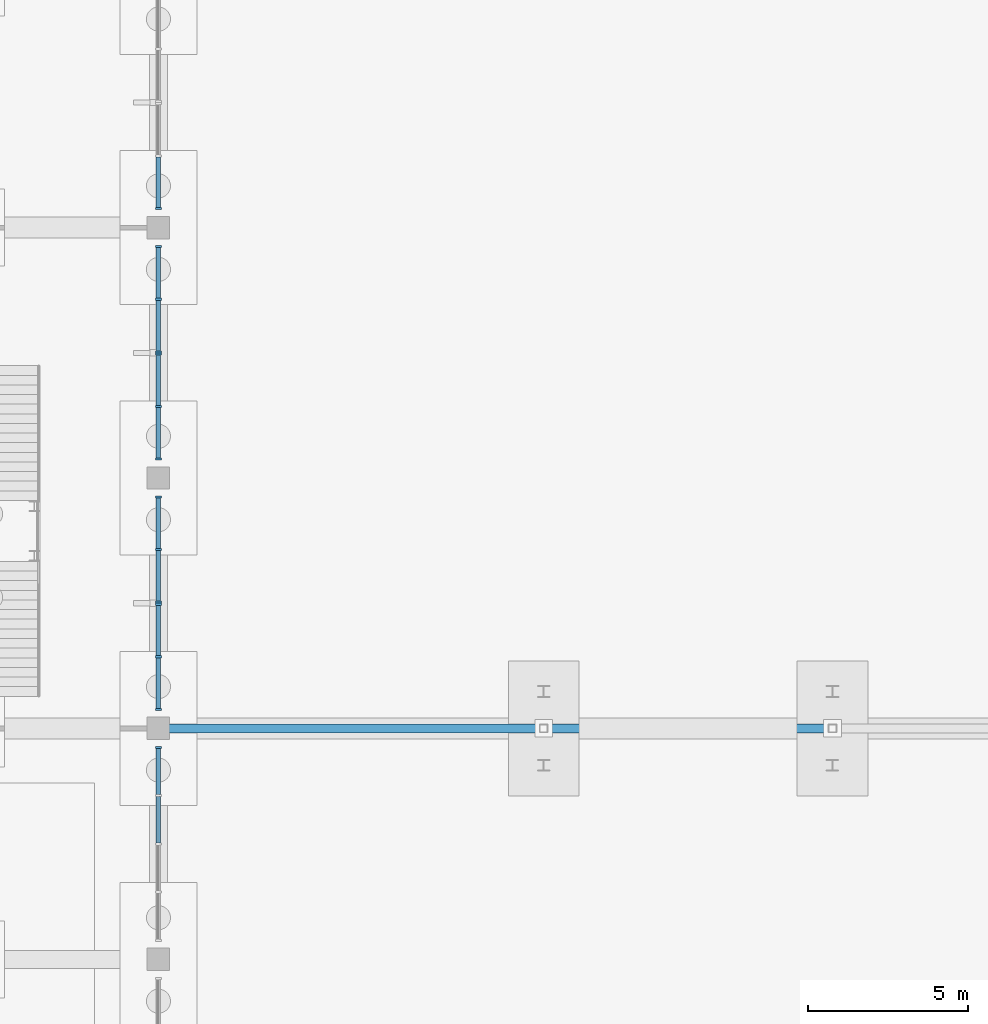
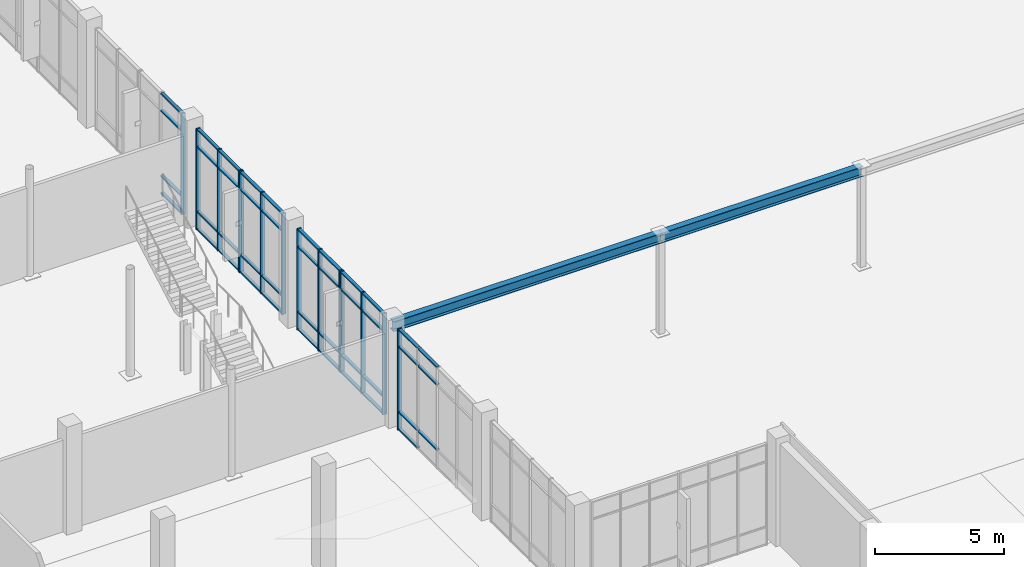
# One storey, part 36 of 94: 57 members, 2 beams, 6 elements without a shape of their own.
"""IFC4 building model written with IfcOpenShell, lengths in metres."""

from ifc_helpers import new_model, si_unit, direction, frame, origin, origin_2d, place, context, subcontext, project, spatial, rectangle, i_section, extrude, material, material_profile, profile_set, type_object, element, aggregate, save


model = new_model("IFC4")

# Units and contexts
model_context = context("Model", 3, precision=1e-05, world=origin(), true_north=direction((0.0, 1.0)))
body_context = subcontext(model_context, "Body", "Model", "MODEL_VIEW")
ifc_project = project(units=[si_unit("LENGTHUNIT", "METRE"), si_unit("AREAUNIT", "SQUARE_METRE"), si_unit("VOLUMEUNIT", "CUBIC_METRE"), si_unit("PLANEANGLEUNIT", "RADIAN"), si_unit("MASSUNIT", "GRAM", prefix="KILO")], contexts=[model_context])

# Site, building, storey
site_placement = place(None, origin())
site = spatial("IfcSite", under=ifc_project, at=site_placement, CompositionType="ELEMENT")
building_placement = place(site_placement, origin())
building = spatial("IfcBuilding", under=site, at=building_placement, Name="Vervanel Yard Central Library", CompositionType="ELEMENT")
storey_placement = place(building_placement, origin())
storey = spatial("IfcBuildingStorey", under=building, at=storey_placement, Name="L00", CompositionType="ELEMENT", Elevation=0.0)

# Curtain wall, member
ifc_material_1 = material(Name="Thermally broken anodized aluminium 6063-T6", Category="aluminium")
curtain_wall_type = type_object("IfcCurtainWallType", Name="Atrium Courtyard Curtain Wall", PredefinedType="NOTDEFINED", material=ifc_material_1)
curtain_wall_1_placement = place(storey_placement, origin())
curtain_wall_1 = element("IfcCurtainWall", 1, at=curtain_wall_1_placement, inside=storey, type_object=curtain_wall_type, Name="L00 Atrium Courtyard Curtain Wall CWR-L00-018", PredefinedType="NOTDEFINED")
ifc_material_profile_1 = material_profile(ifc_material_1, rectangle(XDim=0.06494140625, YDim=0.18994140625, at=origin_2d()), Name="ALU 65x190", Category="aluminium")
ifc_profile_set_1 = profile_set([ifc_material_profile_1], Name="Thermally broken anodized aluminium 6063-T6")
member_type_1 = type_object("IfcMemberType", Name="Curtain Wall Primary Mullion 65x190", PredefinedType="MULLION", material=ifc_profile_set_1)
member_1_placement = place(storey_placement, frame((36.0, 42.607421875, 0.0), z_axis=(0.0, 0.0, 1.0), x_axis=(0.0, 1.0, 0.0)))
member_1 = element("IfcMember", 2, at=member_1_placement, type_object=member_type_1, Name="CWR-L00-018 Mullion 5", PredefinedType="MULLION", context=body_context, shape_type="SweptSolid", body=[
    extrude(rectangle(XDim=0.06494140625, YDim=0.18994140625, at=origin_2d()), origin(), (0.0, 0.0, 1.0), 4.780029296875),
])

# Curtain wall, members
curtain_wall_2_placement = place(storey_placement, origin())
curtain_wall_2 = element("IfcCurtainWall", 3, at=curtain_wall_2_placement, inside=storey, type_object=curtain_wall_type, Name="L00 Atrium Courtyard Curtain Wall CWR-L00-019", PredefinedType="NOTDEFINED")
member_2_placement = place(storey_placement, frame((36.0, 43.79248046875, 0.0), z_axis=(0.0, 0.0, 1.0), x_axis=(0.0, 1.0, 0.0)))
member_2 = element("IfcMember", 4, at=member_2_placement, type_object=member_type_1, Name="CWR-L00-019 Mullion 1", PredefinedType="MULLION", context=body_context, shape_type="SweptSolid", body=[
    extrude(rectangle(XDim=0.06494140625, YDim=0.18994140625, at=origin_2d()), origin(), (0.0, 0.0, 1.0), 4.780029296875),
])
member_3_placement = place(storey_placement, frame((36.0, 45.429931640625, 0.0), z_axis=(0.0, 0.0, 1.0), x_axis=(0.0, 1.0, 0.0)))
member_3 = element("IfcMember", 5, at=member_3_placement, type_object=member_type_1, Name="CWR-L00-019 Mullion 2", PredefinedType="MULLION", context=body_context, shape_type="SweptSolid", body=[
    extrude(rectangle(XDim=0.06494140625, YDim=0.18994140625, at=origin_2d()), origin(), (0.0, 0.0, 1.0), 4.780029296875),
])
member_4_placement = place(storey_placement, frame((36.0, 47.0673828125, 0.0), z_axis=(0.0, 0.0, 1.0), x_axis=(0.0, 1.0, 0.0)))
member_4 = element("IfcMember", 6, at=member_4_placement, type_object=member_type_1, Name="CWR-L00-019 Mullion 3", PredefinedType="MULLION", context=body_context, shape_type="SweptSolid", body=[
    extrude(rectangle(XDim=0.06494140625, YDim=0.18994140625, at=origin_2d()), origin(), (0.0, 0.0, 1.0), 4.780029296875),
])

curtain_wall_3_placement = place(storey_placement, origin())
curtain_wall_3 = element("IfcCurtainWall", 7, at=curtain_wall_3_placement, inside=storey, type_object=curtain_wall_type, Name="L00 Atrium Courtyard Curtain Wall CWR-L00-020", PredefinedType="NOTDEFINED")
member_5_placement = place(storey_placement, frame((36.0, 47.132568359375, 0.0), z_axis=(0.0, 0.0, 1.0), x_axis=(0.0, 1.0, 0.0)))
member_5 = element("IfcMember", 8, at=member_5_placement, type_object=member_type_1, Name="CWR-L00-020 Mullion 1", PredefinedType="MULLION", context=body_context, shape_type="SweptSolid", body=[
    extrude(rectangle(XDim=0.06494140625, YDim=0.18994140625, at=origin_2d()), origin(), (0.0, 0.0, 1.0), 4.780029296875),
])
member_6_placement = place(storey_placement, frame((36.0, 48.77001953125, 0.0), z_axis=(0.0, 0.0, 1.0), x_axis=(0.0, 1.0, 0.0)))
member_6 = element("IfcMember", 9, at=member_6_placement, type_object=member_type_1, Name="CWR-L00-020 Mullion 2", PredefinedType="MULLION", context=body_context, shape_type="SweptSolid", body=[
    extrude(rectangle(XDim=0.06494140625, YDim=0.18994140625, at=origin_2d()), origin(), (0.0, 0.0, 1.0), 4.780029296875),
])
member_7_placement = place(storey_placement, frame((36.0, 50.407470703125, 0.0), z_axis=(0.0, 0.0, 1.0), x_axis=(0.0, 1.0, 0.0)))
member_7 = element("IfcMember", 10, at=member_7_placement, type_object=member_type_1, Name="CWR-L00-020 Mullion 3", PredefinedType="MULLION", context=body_context, shape_type="SweptSolid", body=[
    extrude(rectangle(XDim=0.06494140625, YDim=0.18994140625, at=origin_2d()), origin(), (0.0, 0.0, 1.0), 4.780029296875),
])

curtain_wall_4_placement = place(storey_placement, origin())
curtain_wall_4 = element("IfcCurtainWall", 11, at=curtain_wall_4_placement, inside=storey, type_object=curtain_wall_type, Name="L00 Atrium Courtyard Curtain Wall CWR-L00-021", PredefinedType="NOTDEFINED")
member_8_placement = place(storey_placement, frame((36.0, 51.592529296875, 0.0), z_axis=(0.0, 0.0, 1.0), x_axis=(0.0, 1.0, 0.0)))
member_8 = element("IfcMember", 12, at=member_8_placement, type_object=member_type_1, Name="CWR-L00-021 Mullion 1", PredefinedType="MULLION", context=body_context, shape_type="SweptSolid", body=[
    extrude(rectangle(XDim=0.06494140625, YDim=0.18994140625, at=origin_2d()), origin(), (0.0, 0.0, 1.0), 4.780029296875),
])
member_9_placement = place(storey_placement, frame((36.0, 53.22998046875, 0.0), z_axis=(0.0, 0.0, 1.0), x_axis=(0.0, 1.0, 0.0)))
member_9 = element("IfcMember", 13, at=member_9_placement, type_object=member_type_1, Name="CWR-L00-021 Mullion 2", PredefinedType="MULLION", context=body_context, shape_type="SweptSolid", body=[
    extrude(rectangle(XDim=0.06494140625, YDim=0.18994140625, at=origin_2d()), origin(), (0.0, 0.0, 1.0), 4.780029296875),
])
member_10_placement = place(storey_placement, frame((36.0, 54.867431640625, 0.0), z_axis=(0.0, 0.0, 1.0), x_axis=(0.0, 1.0, 0.0)))
member_10 = element("IfcMember", 14, at=member_10_placement, type_object=member_type_1, Name="CWR-L00-021 Mullion 3", PredefinedType="MULLION", context=body_context, shape_type="SweptSolid", body=[
    extrude(rectangle(XDim=0.06494140625, YDim=0.18994140625, at=origin_2d()), origin(), (0.0, 0.0, 1.0), 4.780029296875),
])

curtain_wall_5_placement = place(storey_placement, origin())
curtain_wall_5 = element("IfcCurtainWall", 15, at=curtain_wall_5_placement, inside=storey, type_object=curtain_wall_type, Name="L00 Atrium Courtyard Curtain Wall CWR-L00-022", PredefinedType="NOTDEFINED")
member_11_placement = place(storey_placement, frame((36.0, 54.9326171875, 0.0), z_axis=(0.0, 0.0, 1.0), x_axis=(0.0, 1.0, 0.0)))
member_11 = element("IfcMember", 16, at=member_11_placement, type_object=member_type_1, Name="CWR-L00-022 Mullion 1", PredefinedType="MULLION", context=body_context, shape_type="SweptSolid", body=[
    extrude(rectangle(XDim=0.06494140625, YDim=0.18994140625, at=origin_2d()), origin(), (0.0, 0.0, 1.0), 4.780029296875),
])
member_12_placement = place(storey_placement, frame((36.0, 56.570068359375, 0.0), z_axis=(0.0, 0.0, 1.0), x_axis=(0.0, 1.0, 0.0)))
member_12 = element("IfcMember", 17, at=member_12_placement, type_object=member_type_1, Name="CWR-L00-022 Mullion 2", PredefinedType="MULLION", context=body_context, shape_type="SweptSolid", body=[
    extrude(rectangle(XDim=0.06494140625, YDim=0.18994140625, at=origin_2d()), origin(), (0.0, 0.0, 1.0), 4.780029296875),
])
member_13_placement = place(storey_placement, frame((36.0, 58.20751953125, 0.0), z_axis=(0.0, 0.0, 1.0), x_axis=(0.0, 1.0, 0.0)))
member_13 = element("IfcMember", 18, at=member_13_placement, type_object=member_type_1, Name="CWR-L00-022 Mullion 3", PredefinedType="MULLION", context=body_context, shape_type="SweptSolid", body=[
    extrude(rectangle(XDim=0.06494140625, YDim=0.18994140625, at=origin_2d()), origin(), (0.0, 0.0, 1.0), 4.780029296875),
])

# Curtain wall, member
curtain_wall_6_placement = place(storey_placement, origin())
curtain_wall_6 = element("IfcCurtainWall", 19, at=curtain_wall_6_placement, inside=storey, type_object=curtain_wall_type, Name="L00 Atrium Courtyard Curtain Wall CWR-L00-023", PredefinedType="NOTDEFINED")
member_14_placement = place(storey_placement, frame((36.0, 59.392578125, 0.0), z_axis=(0.0, 0.0, 1.0), x_axis=(0.0, 1.0, 0.0)))
member_14 = element("IfcMember", 20, at=member_14_placement, type_object=member_type_1, Name="CWR-L00-023 Mullion 1", PredefinedType="MULLION", context=body_context, shape_type="SweptSolid", body=[
    extrude(rectangle(XDim=0.06494140625, YDim=0.18994140625, at=origin_2d()), origin(), (0.0, 0.0, 1.0), 4.780029296875),
])

# Member
ifc_material_profile_2 = material_profile(ifc_material_1, rectangle(XDim=0.06494140625, YDim=0.139892578125, at=origin_2d()), Name="ALU 65x140", Category="aluminium")
ifc_profile_set_2 = profile_set([ifc_material_profile_2], Name="Thermally broken anodized aluminium 6063-T6")
member_type_2 = type_object("IfcMemberType", Name="Curtain Wall Transom 65x140", PredefinedType="NOTDEFINED", material=ifc_profile_set_2)
member_15_placement = place(storey_placement, frame((36.0, 39.632568359375, 0.85009765625), z_axis=(0.0, 1.0, 0.0), x_axis=(0.0, 0.0, 1.0)))
member_15 = element("IfcMember", 21, at=member_15_placement, type_object=member_type_2, Name="CWR-L00-018 Transom B3-T2", ObjectType="TRANSOM", PredefinedType="USERDEFINED", context=body_context, shape_type="SweptSolid", body=[
    extrude(rectangle(XDim=0.06494140625, YDim=0.139892578125, at=origin_2d()), origin(), (0.0, 0.0, 1.0), 1.438720703125),
])

member_16_placement = place(storey_placement, frame((36.0, 39.632568359375, 3.929931640625), z_axis=(0.0, 1.0, 0.0), x_axis=(0.0, 0.0, 1.0)))
member_16 = element("IfcMember", 22, at=member_16_placement, type_object=member_type_2, Name="CWR-L00-018 Transom B3-T3", ObjectType="TRANSOM", PredefinedType="USERDEFINED", context=body_context, shape_type="SweptSolid", body=[
    extrude(rectangle(XDim=0.06494140625, YDim=0.139892578125, at=origin_2d()), origin(), (0.0, 0.0, 1.0), 1.438720703125),
])

member_17_placement = place(storey_placement, frame((36.0, 39.632568359375, 4.74755859375), z_axis=(0.0, 1.0, 0.0), x_axis=(0.0, 0.0, 1.0)))
member_17 = element("IfcMember", 23, at=member_17_placement, type_object=member_type_2, Name="CWR-L00-018 Transom B3-T4", ObjectType="TRANSOM", PredefinedType="USERDEFINED", context=body_context, shape_type="SweptSolid", body=[
    extrude(rectangle(XDim=0.06494140625, YDim=0.139892578125, at=origin_2d()), origin(), (0.0, 0.0, 1.0), 1.438720703125),
])

member_18_placement = place(storey_placement, frame((36.0, 41.13623046875, 0.032470703125), z_axis=(0.0, 1.0, 0.0), x_axis=(0.0, 0.0, 1.0)))
member_18 = element("IfcMember", 24, at=member_18_placement, type_object=member_type_2, Name="CWR-L00-018 Transom B4-T1", ObjectType="TRANSOM", PredefinedType="USERDEFINED", context=body_context, shape_type="SweptSolid", body=[
    extrude(rectangle(XDim=0.06494140625, YDim=0.139892578125, at=origin_2d()), origin(), (0.0, 0.0, 1.0), 1.438720703125),
])

member_19_placement = place(storey_placement, frame((36.0, 41.13623046875, 0.85009765625), z_axis=(0.0, 1.0, 0.0), x_axis=(0.0, 0.0, 1.0)))
member_19 = element("IfcMember", 25, at=member_19_placement, type_object=member_type_2, Name="CWR-L00-018 Transom B4-T2", ObjectType="TRANSOM", PredefinedType="USERDEFINED", context=body_context, shape_type="SweptSolid", body=[
    extrude(rectangle(XDim=0.06494140625, YDim=0.139892578125, at=origin_2d()), origin(), (0.0, 0.0, 1.0), 1.438720703125),
])

member_20_placement = place(storey_placement, frame((36.0, 41.13623046875, 3.929931640625), z_axis=(0.0, 1.0, 0.0), x_axis=(0.0, 0.0, 1.0)))
member_20 = element("IfcMember", 26, at=member_20_placement, type_object=member_type_2, Name="CWR-L00-018 Transom B4-T3", ObjectType="TRANSOM", PredefinedType="USERDEFINED", context=body_context, shape_type="SweptSolid", body=[
    extrude(rectangle(XDim=0.06494140625, YDim=0.139892578125, at=origin_2d()), origin(), (0.0, 0.0, 1.0), 1.438720703125),
])

member_21_placement = place(storey_placement, frame((36.0, 41.13623046875, 4.74755859375), z_axis=(0.0, 1.0, 0.0), x_axis=(0.0, 0.0, 1.0)))
member_21 = element("IfcMember", 27, at=member_21_placement, type_object=member_type_2, Name="CWR-L00-018 Transom B4-T4", ObjectType="TRANSOM", PredefinedType="USERDEFINED", context=body_context, shape_type="SweptSolid", body=[
    extrude(rectangle(XDim=0.06494140625, YDim=0.139892578125, at=origin_2d()), origin(), (0.0, 0.0, 1.0), 1.438720703125),
])

aggregate(curtain_wall_1, [member_1, member_15, member_16, member_17, member_18, member_19, member_20, member_21])

member_22_placement = place(storey_placement, frame((36.0, 43.824951171875, 0.032470703125), z_axis=(0.0, 1.0, 0.0), x_axis=(0.0, 0.0, 1.0)))
member_22 = element("IfcMember", 28, at=member_22_placement, type_object=member_type_2, Name="CWR-L00-019 Transom B1-T1", ObjectType="TRANSOM", PredefinedType="USERDEFINED", context=body_context, shape_type="SweptSolid", body=[
    extrude(rectangle(XDim=0.06494140625, YDim=0.139892578125, at=origin_2d()), origin(), (0.0, 0.0, 1.0), 1.572509765625),
])

member_23_placement = place(storey_placement, frame((36.0, 43.824951171875, 0.85009765625), z_axis=(0.0, 1.0, 0.0), x_axis=(0.0, 0.0, 1.0)))
member_23 = element("IfcMember", 29, at=member_23_placement, type_object=member_type_2, Name="CWR-L00-019 Transom B1-T2", ObjectType="TRANSOM", PredefinedType="USERDEFINED", context=body_context, shape_type="SweptSolid", body=[
    extrude(rectangle(XDim=0.06494140625, YDim=0.139892578125, at=origin_2d()), origin(), (0.0, 0.0, 1.0), 1.572509765625),
])

member_24_placement = place(storey_placement, frame((36.0, 43.824951171875, 3.929931640625), z_axis=(0.0, 1.0, 0.0), x_axis=(0.0, 0.0, 1.0)))
member_24 = element("IfcMember", 30, at=member_24_placement, type_object=member_type_2, Name="CWR-L00-019 Transom B1-T3", ObjectType="TRANSOM", PredefinedType="USERDEFINED", context=body_context, shape_type="SweptSolid", body=[
    extrude(rectangle(XDim=0.06494140625, YDim=0.139892578125, at=origin_2d()), origin(), (0.0, 0.0, 1.0), 1.572509765625),
])

member_25_placement = place(storey_placement, frame((36.0, 43.824951171875, 4.74755859375), z_axis=(0.0, 1.0, 0.0), x_axis=(0.0, 0.0, 1.0)))
member_25 = element("IfcMember", 31, at=member_25_placement, type_object=member_type_2, Name="CWR-L00-019 Transom B1-T4", ObjectType="TRANSOM", PredefinedType="USERDEFINED", context=body_context, shape_type="SweptSolid", body=[
    extrude(rectangle(XDim=0.06494140625, YDim=0.139892578125, at=origin_2d()), origin(), (0.0, 0.0, 1.0), 1.572509765625),
])

member_26_placement = place(storey_placement, frame((36.0, 45.46240234375, 0.032470703125), z_axis=(0.0, 1.0, 0.0), x_axis=(0.0, 0.0, 1.0)))
member_26 = element("IfcMember", 32, at=member_26_placement, type_object=member_type_2, Name="CWR-L00-019 Transom B2-T1", ObjectType="TRANSOM", PredefinedType="USERDEFINED", context=body_context, shape_type="SweptSolid", body=[
    extrude(rectangle(XDim=0.06494140625, YDim=0.139892578125, at=origin_2d()), origin(), (0.0, 0.0, 1.0), 1.572509765625),
])

member_27_placement = place(storey_placement, frame((36.0, 45.46240234375, 0.85009765625), z_axis=(0.0, 1.0, 0.0), x_axis=(0.0, 0.0, 1.0)))
member_27 = element("IfcMember", 33, at=member_27_placement, type_object=member_type_2, Name="CWR-L00-019 Transom B2-T2", ObjectType="TRANSOM", PredefinedType="USERDEFINED", context=body_context, shape_type="SweptSolid", body=[
    extrude(rectangle(XDim=0.06494140625, YDim=0.139892578125, at=origin_2d()), origin(), (0.0, 0.0, 1.0), 1.572509765625),
])

member_28_placement = place(storey_placement, frame((36.0, 45.46240234375, 3.929931640625), z_axis=(0.0, 1.0, 0.0), x_axis=(0.0, 0.0, 1.0)))
member_28 = element("IfcMember", 34, at=member_28_placement, type_object=member_type_2, Name="CWR-L00-019 Transom B2-T3", ObjectType="TRANSOM", PredefinedType="USERDEFINED", context=body_context, shape_type="SweptSolid", body=[
    extrude(rectangle(XDim=0.06494140625, YDim=0.139892578125, at=origin_2d()), origin(), (0.0, 0.0, 1.0), 1.572509765625),
])

member_29_placement = place(storey_placement, frame((36.0, 45.46240234375, 4.74755859375), z_axis=(0.0, 1.0, 0.0), x_axis=(0.0, 0.0, 1.0)))
member_29 = element("IfcMember", 35, at=member_29_placement, type_object=member_type_2, Name="CWR-L00-019 Transom B2-T4", ObjectType="TRANSOM", PredefinedType="USERDEFINED", context=body_context, shape_type="SweptSolid", body=[
    extrude(rectangle(XDim=0.06494140625, YDim=0.139892578125, at=origin_2d()), origin(), (0.0, 0.0, 1.0), 1.572509765625),
])

aggregate(curtain_wall_2, [member_2, member_3, member_4, member_22, member_23, member_24, member_25, member_26, member_27, member_28, member_29])

member_30_placement = place(storey_placement, frame((36.0, 47.1650390625, 0.032470703125), z_axis=(0.0, 1.0, 0.0), x_axis=(0.0, 0.0, 1.0)))
member_30 = element("IfcMember", 36, at=member_30_placement, type_object=member_type_2, Name="CWR-L00-020 Transom B1-T1", ObjectType="TRANSOM", PredefinedType="USERDEFINED", context=body_context, shape_type="SweptSolid", body=[
    extrude(rectangle(XDim=0.06494140625, YDim=0.139892578125, at=origin_2d()), origin(), (0.0, 0.0, 1.0), 1.572509765625),
])

member_31_placement = place(storey_placement, frame((36.0, 47.1650390625, 0.85009765625), z_axis=(0.0, 1.0, 0.0), x_axis=(0.0, 0.0, 1.0)))
member_31 = element("IfcMember", 37, at=member_31_placement, type_object=member_type_2, Name="CWR-L00-020 Transom B1-T2", ObjectType="TRANSOM", PredefinedType="USERDEFINED", context=body_context, shape_type="SweptSolid", body=[
    extrude(rectangle(XDim=0.06494140625, YDim=0.139892578125, at=origin_2d()), origin(), (0.0, 0.0, 1.0), 1.572509765625),
])

member_32_placement = place(storey_placement, frame((36.0, 47.1650390625, 3.929931640625), z_axis=(0.0, 1.0, 0.0), x_axis=(0.0, 0.0, 1.0)))
member_32 = element("IfcMember", 38, at=member_32_placement, type_object=member_type_2, Name="CWR-L00-020 Transom B1-T3", ObjectType="TRANSOM", PredefinedType="USERDEFINED", context=body_context, shape_type="SweptSolid", body=[
    extrude(rectangle(XDim=0.06494140625, YDim=0.139892578125, at=origin_2d()), origin(), (0.0, 0.0, 1.0), 1.572509765625),
])

member_33_placement = place(storey_placement, frame((36.0, 47.1650390625, 4.74755859375), z_axis=(0.0, 1.0, 0.0), x_axis=(0.0, 0.0, 1.0)))
member_33 = element("IfcMember", 39, at=member_33_placement, type_object=member_type_2, Name="CWR-L00-020 Transom B1-T4", ObjectType="TRANSOM", PredefinedType="USERDEFINED", context=body_context, shape_type="SweptSolid", body=[
    extrude(rectangle(XDim=0.06494140625, YDim=0.139892578125, at=origin_2d()), origin(), (0.0, 0.0, 1.0), 1.572509765625),
])

member_34_placement = place(storey_placement, frame((36.0, 48.802490234375, 0.032470703125), z_axis=(0.0, 1.0, 0.0), x_axis=(0.0, 0.0, 1.0)))
member_34 = element("IfcMember", 40, at=member_34_placement, type_object=member_type_2, Name="CWR-L00-020 Transom B2-T1", ObjectType="TRANSOM", PredefinedType="USERDEFINED", context=body_context, shape_type="SweptSolid", body=[
    extrude(rectangle(XDim=0.06494140625, YDim=0.139892578125, at=origin_2d()), origin(), (0.0, 0.0, 1.0), 1.572509765625),
])

member_35_placement = place(storey_placement, frame((36.0, 48.802490234375, 0.85009765625), z_axis=(0.0, 1.0, 0.0), x_axis=(0.0, 0.0, 1.0)))
member_35 = element("IfcMember", 41, at=member_35_placement, type_object=member_type_2, Name="CWR-L00-020 Transom B2-T2", ObjectType="TRANSOM", PredefinedType="USERDEFINED", context=body_context, shape_type="SweptSolid", body=[
    extrude(rectangle(XDim=0.06494140625, YDim=0.139892578125, at=origin_2d()), origin(), (0.0, 0.0, 1.0), 1.572509765625),
])

member_36_placement = place(storey_placement, frame((36.0, 48.802490234375, 3.929931640625), z_axis=(0.0, 1.0, 0.0), x_axis=(0.0, 0.0, 1.0)))
member_36 = element("IfcMember", 42, at=member_36_placement, type_object=member_type_2, Name="CWR-L00-020 Transom B2-T3", ObjectType="TRANSOM", PredefinedType="USERDEFINED", context=body_context, shape_type="SweptSolid", body=[
    extrude(rectangle(XDim=0.06494140625, YDim=0.139892578125, at=origin_2d()), origin(), (0.0, 0.0, 1.0), 1.572509765625),
])

member_37_placement = place(storey_placement, frame((36.0, 48.802490234375, 4.74755859375), z_axis=(0.0, 1.0, 0.0), x_axis=(0.0, 0.0, 1.0)))
member_37 = element("IfcMember", 43, at=member_37_placement, type_object=member_type_2, Name="CWR-L00-020 Transom B2-T4", ObjectType="TRANSOM", PredefinedType="USERDEFINED", context=body_context, shape_type="SweptSolid", body=[
    extrude(rectangle(XDim=0.06494140625, YDim=0.139892578125, at=origin_2d()), origin(), (0.0, 0.0, 1.0), 1.572509765625),
])

aggregate(curtain_wall_3, [member_5, member_6, member_7, member_30, member_31, member_32, member_33, member_34, member_35, member_36, member_37])

member_38_placement = place(storey_placement, frame((36.0, 51.625, 0.032470703125), z_axis=(0.0, 1.0, 0.0), x_axis=(0.0, 0.0, 1.0)))
member_38 = element("IfcMember", 44, at=member_38_placement, type_object=member_type_2, Name="CWR-L00-021 Transom B1-T1", ObjectType="TRANSOM", PredefinedType="USERDEFINED", context=body_context, shape_type="SweptSolid", body=[
    extrude(rectangle(XDim=0.06494140625, YDim=0.139892578125, at=origin_2d()), origin(), (0.0, 0.0, 1.0), 1.572509765625),
])

member_39_placement = place(storey_placement, frame((36.0, 51.625, 0.85009765625), z_axis=(0.0, 1.0, 0.0), x_axis=(0.0, 0.0, 1.0)))
member_39 = element("IfcMember", 45, at=member_39_placement, type_object=member_type_2, Name="CWR-L00-021 Transom B1-T2", ObjectType="TRANSOM", PredefinedType="USERDEFINED", context=body_context, shape_type="SweptSolid", body=[
    extrude(rectangle(XDim=0.06494140625, YDim=0.139892578125, at=origin_2d()), origin(), (0.0, 0.0, 1.0), 1.572509765625),
])

member_40_placement = place(storey_placement, frame((36.0, 51.625, 3.929931640625), z_axis=(0.0, 1.0, 0.0), x_axis=(0.0, 0.0, 1.0)))
member_40 = element("IfcMember", 46, at=member_40_placement, type_object=member_type_2, Name="CWR-L00-021 Transom B1-T3", ObjectType="TRANSOM", PredefinedType="USERDEFINED", context=body_context, shape_type="SweptSolid", body=[
    extrude(rectangle(XDim=0.06494140625, YDim=0.139892578125, at=origin_2d()), origin(), (0.0, 0.0, 1.0), 1.572509765625),
])

member_41_placement = place(storey_placement, frame((36.0, 51.625, 4.74755859375), z_axis=(0.0, 1.0, 0.0), x_axis=(0.0, 0.0, 1.0)))
member_41 = element("IfcMember", 47, at=member_41_placement, type_object=member_type_2, Name="CWR-L00-021 Transom B1-T4", ObjectType="TRANSOM", PredefinedType="USERDEFINED", context=body_context, shape_type="SweptSolid", body=[
    extrude(rectangle(XDim=0.06494140625, YDim=0.139892578125, at=origin_2d()), origin(), (0.0, 0.0, 1.0), 1.572509765625),
])

member_42_placement = place(storey_placement, frame((36.0, 53.262451171875, 0.032470703125), z_axis=(0.0, 1.0, 0.0), x_axis=(0.0, 0.0, 1.0)))
member_42 = element("IfcMember", 48, at=member_42_placement, type_object=member_type_2, Name="CWR-L00-021 Transom B2-T1", ObjectType="TRANSOM", PredefinedType="USERDEFINED", context=body_context, shape_type="SweptSolid", body=[
    extrude(rectangle(XDim=0.06494140625, YDim=0.139892578125, at=origin_2d()), origin(), (0.0, 0.0, 1.0), 1.572509765625),
])

member_43_placement = place(storey_placement, frame((36.0, 53.262451171875, 0.85009765625), z_axis=(0.0, 1.0, 0.0), x_axis=(0.0, 0.0, 1.0)))
member_43 = element("IfcMember", 49, at=member_43_placement, type_object=member_type_2, Name="CWR-L00-021 Transom B2-T2", ObjectType="TRANSOM", PredefinedType="USERDEFINED", context=body_context, shape_type="SweptSolid", body=[
    extrude(rectangle(XDim=0.06494140625, YDim=0.139892578125, at=origin_2d()), origin(), (0.0, 0.0, 1.0), 1.572509765625),
])

member_44_placement = place(storey_placement, frame((36.0, 53.262451171875, 3.929931640625), z_axis=(0.0, 1.0, 0.0), x_axis=(0.0, 0.0, 1.0)))
member_44 = element("IfcMember", 50, at=member_44_placement, type_object=member_type_2, Name="CWR-L00-021 Transom B2-T3", ObjectType="TRANSOM", PredefinedType="USERDEFINED", context=body_context, shape_type="SweptSolid", body=[
    extrude(rectangle(XDim=0.06494140625, YDim=0.139892578125, at=origin_2d()), origin(), (0.0, 0.0, 1.0), 1.572509765625),
])

member_45_placement = place(storey_placement, frame((36.0, 53.262451171875, 4.74755859375), z_axis=(0.0, 1.0, 0.0), x_axis=(0.0, 0.0, 1.0)))
member_45 = element("IfcMember", 51, at=member_45_placement, type_object=member_type_2, Name="CWR-L00-021 Transom B2-T4", ObjectType="TRANSOM", PredefinedType="USERDEFINED", context=body_context, shape_type="SweptSolid", body=[
    extrude(rectangle(XDim=0.06494140625, YDim=0.139892578125, at=origin_2d()), origin(), (0.0, 0.0, 1.0), 1.572509765625),
])

aggregate(curtain_wall_4, [member_8, member_9, member_10, member_38, member_39, member_40, member_41, member_42, member_43, member_44, member_45])

member_46_placement = place(storey_placement, frame((36.0, 54.965087890625, 0.032470703125), z_axis=(0.0, 1.0, 0.0), x_axis=(0.0, 0.0, 1.0)))
member_46 = element("IfcMember", 52, at=member_46_placement, type_object=member_type_2, Name="CWR-L00-022 Transom B1-T1", ObjectType="TRANSOM", PredefinedType="USERDEFINED", context=body_context, shape_type="SweptSolid", body=[
    extrude(rectangle(XDim=0.06494140625, YDim=0.139892578125, at=origin_2d()), origin(), (0.0, 0.0, 1.0), 1.572509765625),
])

member_47_placement = place(storey_placement, frame((36.0, 54.965087890625, 0.85009765625), z_axis=(0.0, 1.0, 0.0), x_axis=(0.0, 0.0, 1.0)))
member_47 = element("IfcMember", 53, at=member_47_placement, type_object=member_type_2, Name="CWR-L00-022 Transom B1-T2", ObjectType="TRANSOM", PredefinedType="USERDEFINED", context=body_context, shape_type="SweptSolid", body=[
    extrude(rectangle(XDim=0.06494140625, YDim=0.139892578125, at=origin_2d()), origin(), (0.0, 0.0, 1.0), 1.572509765625),
])

member_48_placement = place(storey_placement, frame((36.0, 54.965087890625, 3.929931640625), z_axis=(0.0, 1.0, 0.0), x_axis=(0.0, 0.0, 1.0)))
member_48 = element("IfcMember", 54, at=member_48_placement, type_object=member_type_2, Name="CWR-L00-022 Transom B1-T3", ObjectType="TRANSOM", PredefinedType="USERDEFINED", context=body_context, shape_type="SweptSolid", body=[
    extrude(rectangle(XDim=0.06494140625, YDim=0.139892578125, at=origin_2d()), origin(), (0.0, 0.0, 1.0), 1.572509765625),
])

member_49_placement = place(storey_placement, frame((36.0, 54.965087890625, 4.74755859375), z_axis=(0.0, 1.0, 0.0), x_axis=(0.0, 0.0, 1.0)))
member_49 = element("IfcMember", 55, at=member_49_placement, type_object=member_type_2, Name="CWR-L00-022 Transom B1-T4", ObjectType="TRANSOM", PredefinedType="USERDEFINED", context=body_context, shape_type="SweptSolid", body=[
    extrude(rectangle(XDim=0.06494140625, YDim=0.139892578125, at=origin_2d()), origin(), (0.0, 0.0, 1.0), 1.572509765625),
])

member_50_placement = place(storey_placement, frame((36.0, 56.6025390625, 0.032470703125), z_axis=(0.0, 1.0, 0.0), x_axis=(0.0, 0.0, 1.0)))
member_50 = element("IfcMember", 56, at=member_50_placement, type_object=member_type_2, Name="CWR-L00-022 Transom B2-T1", ObjectType="TRANSOM", PredefinedType="USERDEFINED", context=body_context, shape_type="SweptSolid", body=[
    extrude(rectangle(XDim=0.06494140625, YDim=0.139892578125, at=origin_2d()), origin(), (0.0, 0.0, 1.0), 1.572509765625),
])

member_51_placement = place(storey_placement, frame((36.0, 56.6025390625, 0.85009765625), z_axis=(0.0, 1.0, 0.0), x_axis=(0.0, 0.0, 1.0)))
member_51 = element("IfcMember", 57, at=member_51_placement, type_object=member_type_2, Name="CWR-L00-022 Transom B2-T2", ObjectType="TRANSOM", PredefinedType="USERDEFINED", context=body_context, shape_type="SweptSolid", body=[
    extrude(rectangle(XDim=0.06494140625, YDim=0.139892578125, at=origin_2d()), origin(), (0.0, 0.0, 1.0), 1.572509765625),
])

member_52_placement = place(storey_placement, frame((36.0, 56.6025390625, 3.929931640625), z_axis=(0.0, 1.0, 0.0), x_axis=(0.0, 0.0, 1.0)))
member_52 = element("IfcMember", 58, at=member_52_placement, type_object=member_type_2, Name="CWR-L00-022 Transom B2-T3", ObjectType="TRANSOM", PredefinedType="USERDEFINED", context=body_context, shape_type="SweptSolid", body=[
    extrude(rectangle(XDim=0.06494140625, YDim=0.139892578125, at=origin_2d()), origin(), (0.0, 0.0, 1.0), 1.572509765625),
])

member_53_placement = place(storey_placement, frame((36.0, 56.6025390625, 4.74755859375), z_axis=(0.0, 1.0, 0.0), x_axis=(0.0, 0.0, 1.0)))
member_53 = element("IfcMember", 59, at=member_53_placement, type_object=member_type_2, Name="CWR-L00-022 Transom B2-T4", ObjectType="TRANSOM", PredefinedType="USERDEFINED", context=body_context, shape_type="SweptSolid", body=[
    extrude(rectangle(XDim=0.06494140625, YDim=0.139892578125, at=origin_2d()), origin(), (0.0, 0.0, 1.0), 1.572509765625),
])

aggregate(curtain_wall_5, [member_11, member_12, member_13, member_46, member_47, member_48, member_49, member_50, member_51, member_52, member_53])

member_54_placement = place(storey_placement, frame((36.0, 59.425048828125, 0.032470703125), z_axis=(0.0, 1.0, 0.0), x_axis=(0.0, 0.0, 1.0)))
member_54 = element("IfcMember", 60, at=member_54_placement, type_object=member_type_2, Name="CWR-L00-023 Transom B1-T1", ObjectType="TRANSOM", PredefinedType="USERDEFINED", context=body_context, shape_type="SweptSolid", body=[
    extrude(rectangle(XDim=0.06494140625, YDim=0.139892578125, at=origin_2d()), origin(), (0.0, 0.0, 1.0), 1.572509765625),
])

member_55_placement = place(storey_placement, frame((36.0, 59.425048828125, 0.85009765625), z_axis=(0.0, 1.0, 0.0), x_axis=(0.0, 0.0, 1.0)))
member_55 = element("IfcMember", 61, at=member_55_placement, type_object=member_type_2, Name="CWR-L00-023 Transom B1-T2", ObjectType="TRANSOM", PredefinedType="USERDEFINED", context=body_context, shape_type="SweptSolid", body=[
    extrude(rectangle(XDim=0.06494140625, YDim=0.139892578125, at=origin_2d()), origin(), (0.0, 0.0, 1.0), 1.572509765625),
])

member_56_placement = place(storey_placement, frame((36.0, 59.425048828125, 3.929931640625), z_axis=(0.0, 1.0, 0.0), x_axis=(0.0, 0.0, 1.0)))
member_56 = element("IfcMember", 62, at=member_56_placement, type_object=member_type_2, Name="CWR-L00-023 Transom B1-T3", ObjectType="TRANSOM", PredefinedType="USERDEFINED", context=body_context, shape_type="SweptSolid", body=[
    extrude(rectangle(XDim=0.06494140625, YDim=0.139892578125, at=origin_2d()), origin(), (0.0, 0.0, 1.0), 1.572509765625),
])

member_57_placement = place(storey_placement, frame((36.0, 59.425048828125, 4.74755859375), z_axis=(0.0, 1.0, 0.0), x_axis=(0.0, 0.0, 1.0)))
member_57 = element("IfcMember", 63, at=member_57_placement, type_object=member_type_2, Name="CWR-L00-023 Transom B1-T4", ObjectType="TRANSOM", PredefinedType="USERDEFINED", context=body_context, shape_type="SweptSolid", body=[
    extrude(rectangle(XDim=0.06494140625, YDim=0.139892578125, at=origin_2d()), origin(), (0.0, 0.0, 1.0), 1.572509765625),
])

aggregate(curtain_wall_6, [member_14, member_54, member_55, member_56, member_57])

# Beams
ifc_material_2 = material(Name="Steel ASTM A992 Grade 50", Category="steel")
ifc_material_profile_3 = material_profile(ifc_material_2, i_section(OverallWidth=0.281982421875, OverallDepth=0.46728515625, WebThickness=0.01220703125, FlangeThickness=0.01953125, at=origin_2d()), Name="W18X86", Category="steel")
ifc_profile_set_3 = profile_set([ifc_material_profile_3], Name="Steel ASTM A992 Grade 50")
beam_type = type_object("IfcBeamType", Name="Steel Canopy Edge Beam W18X86", PredefinedType="BEAM", material=ifc_profile_set_3)
beam_1_placement = place(storey_placement, frame((36.0, 43.199951171875, 4.56640625), z_axis=(1.0, 0.0, 0.0), x_axis=(0.0, 1.0, 0.0)))
element("IfcBeam", 64, at=beam_1_placement, inside=storey, type_object=beam_type, Name="L00 Courtyard Pergola Tie Beam 1", PredefinedType="BEAM", context=body_context, shape_type="SweptSolid", body=[
    extrude(i_section(OverallWidth=0.281982421875, OverallDepth=0.46728515625, WebThickness=0.01220703125, FlangeThickness=0.01953125, at=origin_2d()), origin(), (0.0, 0.0, 1.0), 12.0),
])
beam_2_placement = place(storey_placement, frame((48.0, 43.199951171875, 4.56640625), z_axis=(1.0, 0.0, 0.0), x_axis=(0.0, 1.0, 0.0)))
element("IfcBeam", 65, at=beam_2_placement, inside=storey, type_object=beam_type, Name="L00 Courtyard Pergola Tie Beam 2", PredefinedType="BEAM", context=body_context, shape_type="SweptSolid", body=[
    extrude(i_section(OverallWidth=0.281982421875, OverallDepth=0.46728515625, WebThickness=0.01220703125, FlangeThickness=0.01953125, at=origin_2d()), origin(), (0.0, 0.0, 1.0), 9.0),
])

save(model, "model.ifc")
